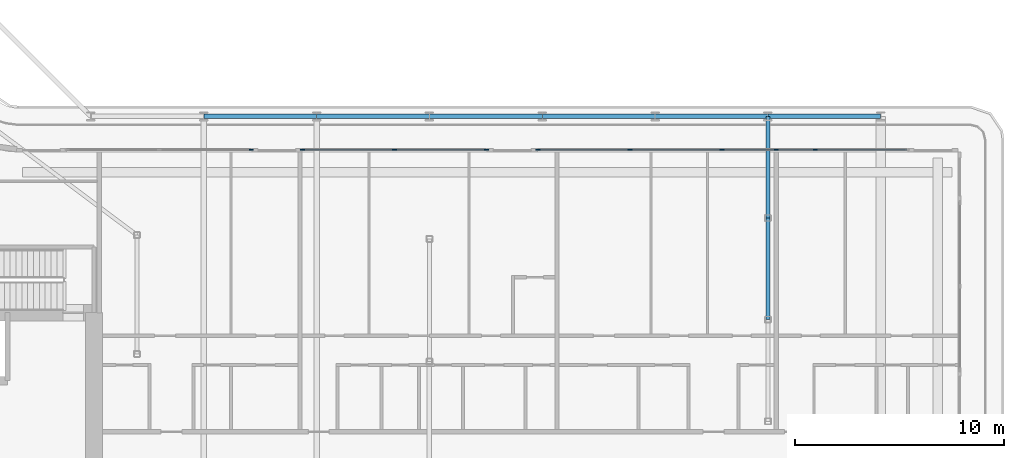
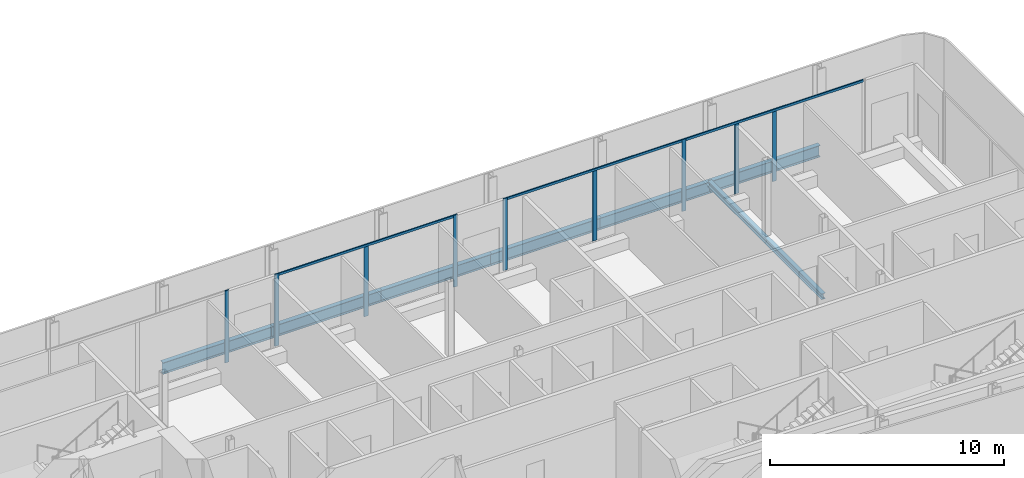
# One storey, part 8 of 29: 12 members, 8 beams, 4 elements without a shape of their own.
"""IFC4 building model written with IfcOpenShell, lengths in metres."""

from ifc_helpers import new_model, si_unit, direction, frame, origin, origin_2d, place, context, subcontext, project, spatial, rectangle, i_section, extrude, material, layer, layer_set, material_profile, profile_set, type_object, element, aggregate, save


model = new_model("IFC4")

# Units and contexts
model_context = context("Model", 3, precision=1e-05, world=origin(), true_north=direction((0.0, 1.0)))
body_context = subcontext(model_context, "Body", "Model", "MODEL_VIEW")
ifc_project = project(units=[si_unit("LENGTHUNIT", "METRE"), si_unit("AREAUNIT", "SQUARE_METRE"), si_unit("VOLUMEUNIT", "CUBIC_METRE"), si_unit("PLANEANGLEUNIT", "RADIAN"), si_unit("MASSUNIT", "GRAM", prefix="KILO")], contexts=[model_context])

# Site, building, storey
site_placement = place(None, origin())
site = spatial("IfcSite", under=ifc_project, at=site_placement, CompositionType="ELEMENT")
building_placement = place(site_placement, origin())
building = spatial("IfcBuilding", under=site, at=building_placement, Name="Kheshtan School and Residences Tower", CompositionType="ELEMENT")
storey_placement = place(building_placement, frame((0.0, 0.0, 172.10009765625)))
storey = spatial("IfcBuildingStorey", under=building, at=storey_placement, Name="L40", CompositionType="ELEMENT", Elevation=172.10009765625)

# Beams
ifc_material_1 = material(Name="Steel ASTM A992 Grade 50", Category="steel")
ifc_material_profile_1 = material_profile(ifc_material_1, i_section(OverallWidth=0.202880859375, OverallDepth=0.302978515625, WebThickness=0.007568359375, FlangeThickness=0.01318359375, FilletRadius=0.009033203125, at=origin_2d()), Name="W310x60")
ifc_profile_set_1 = profile_set([ifc_material_profile_1], Name="Steel ASTM A992 Grade 50")
beam_type_1 = type_object("IfcBeamType", Name="Beam FB1 W310x60 ASTM A992 Grade 50", PredefinedType="BEAM", material=ifc_profile_set_1)
for number, where, z_axis, x_axis, name in (
    (1, (85.39990234375, 45.60009765625, -0.301513671875), (0.0, -1.0, 0.0), (1.0, 0.0, 0.0), "Floor beam C067"),
    (2, (85.39990234375, 40.735107421875, -0.301513671875), (0.0, -1.0, 0.0), (1.0, 0.0, 0.0), "Floor beam IC"),
):
    element("IfcBeam", number, at=place(storey_placement, frame(where, z_axis=z_axis, x_axis=x_axis)), inside=storey, type_object=beam_type_1, Name=name, PredefinedType="BEAM", context=body_context, shape_type="SweptSolid", body=[
        extrude(i_section(OverallWidth=0.202880859375, OverallDepth=0.302978515625, WebThickness=0.007568359375, FlangeThickness=0.01318359375, FilletRadius=0.009033203125, at=origin_2d()), origin(), (0.0, 0.0, 1.0), 4.864990234375),
    ])
ifc_material_profile_2 = material_profile(ifc_material_1, i_section(OverallWidth=0.22802734375, OverallDepth=0.60302734375, WebThickness=0.010498046875, FlangeThickness=0.014892578125, FilletRadius=0.013427734375, at=origin_2d()), Name="W610x101")
ifc_profile_set_2 = profile_set([ifc_material_profile_2], Name="Steel ASTM A992 Grade 50")
beam_type_2 = type_object("IfcBeamType", Name="Beam SP2 W610x101 ASTM A992 Grade 50", PredefinedType="BEAM", material=ifc_profile_set_2)
beam_1_placement = place(storey_placement, frame((58.39990234375, 45.60009765625, -0.45166015625), z_axis=(1.0, 0.0, 0.0), x_axis=(0.0, 1.0, 0.0)))
element("IfcBeam", 3, at=beam_1_placement, inside=storey, type_object=beam_type_2, Name="Spandrel beam C062-C063", PredefinedType="BEAM", context=body_context, shape_type="SweptSolid", body=[
    extrude(i_section(OverallWidth=0.22802734375, OverallDepth=0.60302734375, WebThickness=0.010498046875, FlangeThickness=0.014892578125, FilletRadius=0.013427734375, at=origin_2d()), origin(), (0.0, 0.0, 1.0), 5.400146484375),
])
beam_2_placement = place(storey_placement, frame((63.800048828125, 45.60009765625, -0.45166015625), z_axis=(1.0, 0.0, 0.0), x_axis=(0.0, 1.0, 0.0)))
element("IfcBeam", 4, at=beam_2_placement, inside=storey, type_object=beam_type_2, Name="Spandrel beam C063-C064", PredefinedType="BEAM", context=body_context, shape_type="SweptSolid", body=[
    extrude(i_section(OverallWidth=0.22802734375, OverallDepth=0.60302734375, WebThickness=0.010498046875, FlangeThickness=0.014892578125, FilletRadius=0.013427734375, at=origin_2d()), origin(), (0.0, 0.0, 1.0), 5.39990234375),
])
beam_3_placement = place(storey_placement, frame((69.199951171875, 45.60009765625, -0.45166015625), z_axis=(1.0, 0.0, 0.0), x_axis=(0.0, 1.0, 0.0)))
element("IfcBeam", 5, at=beam_3_placement, inside=storey, type_object=beam_type_2, Name="Spandrel beam C064-C065", PredefinedType="BEAM", context=body_context, shape_type="SweptSolid", body=[
    extrude(i_section(OverallWidth=0.22802734375, OverallDepth=0.60302734375, WebThickness=0.010498046875, FlangeThickness=0.014892578125, FilletRadius=0.013427734375, at=origin_2d()), origin(), (0.0, 0.0, 1.0), 5.400146484375),
])
for number, where, z_axis, x_axis, name in (
    (6, (74.60009765625, 45.60009765625, -0.45166015625), (1.0, 0.0, 0.0), (0.0, 1.0, 0.0), "Spandrel beam C065-C066"),
    (7, (80.0, 45.60009765625, -0.45166015625), (1.0, 0.0, 0.0), (0.0, 1.0, 0.0), "Spandrel beam C066-C067"),
):
    element("IfcBeam", number, at=place(storey_placement, frame(where, z_axis=z_axis, x_axis=x_axis)), inside=storey, type_object=beam_type_2, Name=name, PredefinedType="BEAM", context=body_context, shape_type="SweptSolid", body=[
        extrude(i_section(OverallWidth=0.22802734375, OverallDepth=0.60302734375, WebThickness=0.010498046875, FlangeThickness=0.014892578125, FilletRadius=0.013427734375, at=origin_2d()), origin(), (0.0, 0.0, 1.0), 5.39990234375),
    ])
beam_4_placement = place(storey_placement, frame((85.39990234375, 45.60009765625, -0.45166015625), z_axis=(1.0, 0.0, 0.0), x_axis=(0.0, 1.0, 0.0)))
element("IfcBeam", 8, at=beam_4_placement, inside=storey, type_object=beam_type_2, Name="Spandrel beam C067-C068", PredefinedType="BEAM", context=body_context, shape_type="SweptSolid", body=[
    extrude(i_section(OverallWidth=0.22802734375, OverallDepth=0.60302734375, WebThickness=0.010498046875, FlangeThickness=0.014892578125, FilletRadius=0.013427734375, at=origin_2d()), origin(), (0.0, 0.0, 1.0), 5.400146484375),
])

# Curtain wall, member
ifc_material_2 = material(Name="Clear low-e glass in thermally broken aluminium frame", Category="aluminium")
ifc_layer = layer(ifc_material_2, 0.199951171875)
ifc_layer_set = layer_set([ifc_layer], Name="Curtain wall CW-L")
curtain_wall_type = type_object("IfcCurtainWallType", Name="Curtain wall CW-L", PredefinedType="NOTDEFINED", material=ifc_layer_set)
curtain_wall_1_placement = place(storey_placement, origin())
curtain_wall_1 = element("IfcCurtainWall", 9, at=curtain_wall_1_placement, inside=storey, type_object=curtain_wall_type, Name="Curtain wall CWL12f", PredefinedType="NOTDEFINED")
ifc_material_3 = material(Name="Thermally broken aluminium, dark bronze anodised", Category="aluminium")
ifc_material_profile_3 = material_profile(ifc_material_3, rectangle(XDim=0.06005859375, YDim=0.199951171875, at=origin_2d()), Name="CW-L mullion 60x200")
ifc_profile_set_3 = profile_set([ifc_material_profile_3], Name="Thermally broken aluminium, dark bronze anodised")
member_type_1 = type_object("IfcMemberType", Name="CW-L mullion 60x200", PredefinedType="MULLION", material=ifc_profile_set_3)
member_1_placement = place(storey_placement, frame((60.66748046875, 44.0, 0.0), z_axis=(0.0, 0.0, 1.0), x_axis=(0.0, 1.0, 0.0)))
member_1 = element("IfcMember", 10, at=member_1_placement, type_object=member_type_1, Name="CWL12f mullion 3", PredefinedType="MULLION", context=body_context, shape_type="SweptSolid", body=[
    extrude(rectangle(XDim=0.06005859375, YDim=0.199951171875, at=origin_2d()), origin(), (0.0, 0.0, 1.0), 3.75),
])
aggregate(curtain_wall_1, [member_1])

# Curtain wall, members
curtain_wall_2_placement = place(storey_placement, origin())
curtain_wall_2 = element("IfcCurtainWall", 11, at=curtain_wall_2_placement, inside=storey, type_object=curtain_wall_type, Name="Curtain wall CWL12f", PredefinedType="NOTDEFINED")
member_2_placement = place(storey_placement, frame((63.12744140625, 44.0, 0.0), z_axis=(0.0, 0.0, 1.0), x_axis=(0.0, 1.0, 0.0)))
member_2 = element("IfcMember", 12, at=member_2_placement, type_object=member_type_1, Name="CWL12f mullion 1", PredefinedType="MULLION", context=body_context, shape_type="SweptSolid", body=[
    extrude(rectangle(XDim=0.06005859375, YDim=0.199951171875, at=origin_2d()), origin(), (0.0, 0.0, 1.0), 3.75),
])
member_3_placement = place(storey_placement, frame((67.53125, 44.0, 0.0), z_axis=(0.0, 0.0, 1.0), x_axis=(0.0, 1.0, 0.0)))
member_3 = element("IfcMember", 13, at=member_3_placement, type_object=member_type_1, Name="CWL12f mullion 2", PredefinedType="MULLION", context=body_context, shape_type="SweptSolid", body=[
    extrude(rectangle(XDim=0.06005859375, YDim=0.199951171875, at=origin_2d()), origin(), (0.0, 0.0, 1.0), 3.6298828125),
])
member_4_placement = place(storey_placement, frame((71.93505859375, 44.0, 0.0), z_axis=(0.0, 0.0, 1.0), x_axis=(0.0, 1.0, 0.0)))
member_4 = element("IfcMember", 14, at=member_4_placement, type_object=member_type_1, Name="CWL12f mullion 3", PredefinedType="MULLION", context=body_context, shape_type="SweptSolid", body=[
    extrude(rectangle(XDim=0.06005859375, YDim=0.199951171875, at=origin_2d()), origin(), (0.0, 0.0, 1.0), 3.75),
])

curtain_wall_3_placement = place(storey_placement, origin())
curtain_wall_3 = element("IfcCurtainWall", 15, at=curtain_wall_3_placement, inside=storey, type_object=curtain_wall_type, Name="Curtain wall CWL12f", PredefinedType="NOTDEFINED")
member_5_placement = place(storey_placement, frame((74.39501953125, 44.0, 0.0), z_axis=(0.0, 0.0, 1.0), x_axis=(0.0, 1.0, 0.0)))
member_5 = element("IfcMember", 16, at=member_5_placement, type_object=member_type_1, Name="CWL12f mullion 1", PredefinedType="MULLION", context=body_context, shape_type="SweptSolid", body=[
    extrude(rectangle(XDim=0.06005859375, YDim=0.199951171875, at=origin_2d()), origin(), (0.0, 0.0, 1.0), 3.75),
])
member_6_placement = place(storey_placement, frame((78.798828125, 44.0, 0.0), z_axis=(0.0, 0.0, 1.0), x_axis=(0.0, 1.0, 0.0)))
member_6 = element("IfcMember", 17, at=member_6_placement, type_object=member_type_1, Name="CWL12f mullion 2", PredefinedType="MULLION", context=body_context, shape_type="SweptSolid", body=[
    extrude(rectangle(XDim=0.06005859375, YDim=0.199951171875, at=origin_2d()), origin(), (0.0, 0.0, 1.0), 3.6298828125),
])
member_7_placement = place(storey_placement, frame((83.202392578125, 44.0, 0.0), z_axis=(0.0, 0.0, 1.0), x_axis=(0.0, 1.0, 0.0)))
member_7 = element("IfcMember", 18, at=member_7_placement, type_object=member_type_1, Name="CWL12f mullion 3", PredefinedType="MULLION", context=body_context, shape_type="SweptSolid", body=[
    extrude(rectangle(XDim=0.06005859375, YDim=0.199951171875, at=origin_2d()), origin(), (0.0, 0.0, 1.0), 3.75),
])

curtain_wall_4_placement = place(storey_placement, origin())
curtain_wall_4 = element("IfcCurtainWall", 19, at=curtain_wall_4_placement, inside=storey, type_object=curtain_wall_type, Name="Curtain wall CWL12y", PredefinedType="NOTDEFINED")
member_8_placement = place(storey_placement, frame((85.800048828125, 44.0, 0.0), z_axis=(0.0, 0.0, 1.0), x_axis=(0.0, 1.0, 0.0)))
member_8 = element("IfcMember", 20, at=member_8_placement, type_object=member_type_1, Name="CWL12y mullion 2", PredefinedType="MULLION", context=body_context, shape_type="SweptSolid", body=[
    extrude(rectangle(XDim=0.06005859375, YDim=0.199951171875, at=origin_2d()), origin(), (0.0, 0.0, 1.0), 3.6298828125),
])
member_9_placement = place(storey_placement, frame((87.666259765625, 44.0, 0.0), z_axis=(0.0, 0.0, 1.0), x_axis=(0.0, 1.0, 0.0)))
member_9 = element("IfcMember", 21, at=member_9_placement, type_object=member_type_1, Name="CWL12y mullion 3", PredefinedType="MULLION", context=body_context, shape_type="SweptSolid", body=[
    extrude(rectangle(XDim=0.06005859375, YDim=0.199951171875, at=origin_2d()), origin(), (0.0, 0.0, 1.0), 3.6298828125),
])

# Member
ifc_material_profile_4 = material_profile(ifc_material_3, rectangle(XDim=0.06005859375, YDim=0.1201171875, at=origin_2d()), Name="CW-L transom 60x120")
ifc_profile_set_4 = profile_set([ifc_material_profile_4], Name="Thermally broken aluminium, dark bronze anodised")
member_type_2 = type_object("IfcMemberType", Name="CW-L transom 60x120", PredefinedType="USERDEFINED", material=ifc_profile_set_4)
member_10_placement = place(storey_placement, frame((63.157470703125, 44.0, 3.68994140625), z_axis=(1.0, 0.0, 0.0), x_axis=(0.0, 1.0, 0.0)))
member_10 = element("IfcMember", 22, at=member_10_placement, type_object=member_type_2, Name="CWL12f transom 1", ObjectType="TRANSOM", PredefinedType="USERDEFINED", context=body_context, shape_type="SweptSolid", body=[
    extrude(rectangle(XDim=0.06005859375, YDim=0.1201171875, at=origin_2d()), origin(), (0.0, 0.0, 1.0), 8.74755859375),
])

aggregate(curtain_wall_2, [member_2, member_3, member_4, member_10])

member_11_placement = place(storey_placement, frame((74.425048828125, 44.0, 3.68994140625), z_axis=(1.0, 0.0, 0.0), x_axis=(0.0, 1.0, 0.0)))
member_11 = element("IfcMember", 23, at=member_11_placement, type_object=member_type_2, Name="CWL12f transom 1", ObjectType="TRANSOM", PredefinedType="USERDEFINED", context=body_context, shape_type="SweptSolid", body=[
    extrude(rectangle(XDim=0.06005859375, YDim=0.1201171875, at=origin_2d()), origin(), (0.0, 0.0, 1.0), 8.74755859375),
])

aggregate(curtain_wall_3, [member_5, member_6, member_7, member_11])

member_12_placement = place(storey_placement, frame((83.232421875, 44.0, 3.68994140625), z_axis=(1.0, 0.0, 0.0), x_axis=(0.0, 1.0, 0.0)))
member_12 = element("IfcMember", 24, at=member_12_placement, type_object=member_type_2, Name="CWL12y transom 1", ObjectType="TRANSOM", PredefinedType="USERDEFINED", context=body_context, shape_type="SweptSolid", body=[
    extrude(rectangle(XDim=0.06005859375, YDim=0.1201171875, at=origin_2d()), origin(), (0.0, 0.0, 1.0), 8.8076171875),
])

aggregate(curtain_wall_4, [member_8, member_9, member_12])

save(model, "model.ifc")
